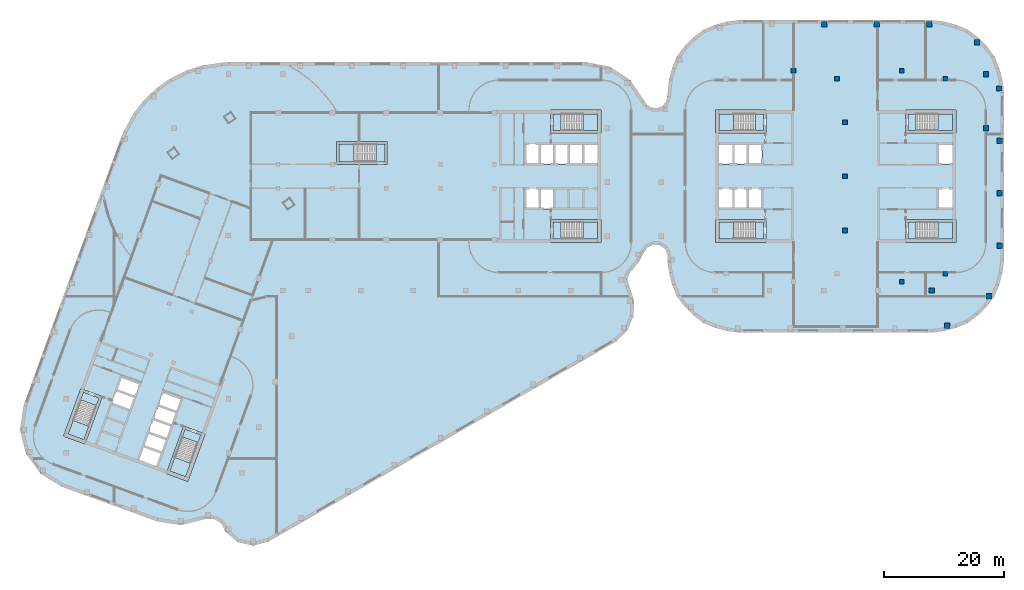
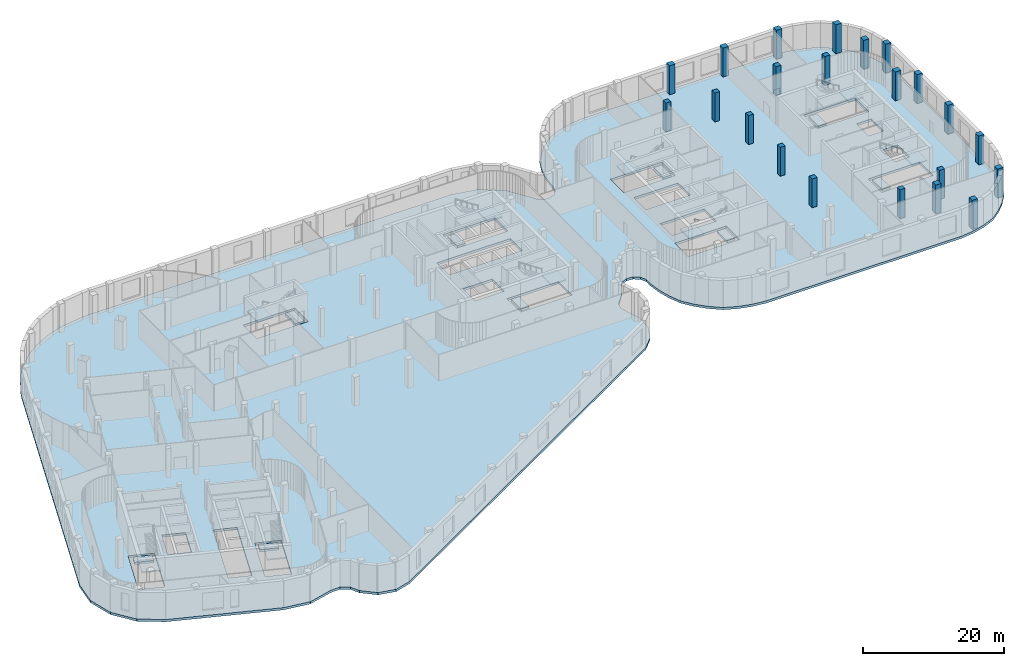
# One storey, part 2 of 18: 22 columns, 19 slabs, 9 elements without a shape of their own.
"""IFC4 building model written with IfcOpenShell, lengths in metres."""

import ifcopenshell
import ifcopenshell.guid

model = None  # the IFC model being written
_history = None  # IfcOwnerHistory: only IFC2X3 demands one
_inside = {}  # id of a spatial element -> (the spatial element, [elements in it])
_under = {}  # id of a project, library or spatial element -> (it, [spatial elements below it])
_declared = {}  # id of a project -> (the project, [libraries it declares])
_typed = {}  # id of a type object -> (the type object, [elements of that type])
_made_of = {}  # id of a material, layer set ... -> (it, [elements and type objects made of it])


def new_model(schema):
    """Start an empty IFC model of exactly this schema.

    Asked for "IFC4X3", IfcOpenShell would pick the latest addendum, in which some entities
    have other attributes; the version numbers below select the first issue.
    IFC2X3 requires an IfcOwnerHistory on every rooted entity: one is made here for all.
    """
    global model, _history
    if schema == "IFC4X3":
        model = ifcopenshell.file(schema_version=(4, 3, 0, 0))
    else:
        model = ifcopenshell.file(schema=schema)
    _inside.clear()
    _under.clear()
    _declared.clear()
    _typed.clear()
    _made_of.clear()
    _history = None
    if model.schema == "IFC2X3":
        org = make("IfcOrganization", Name="unknown")
        user = make(
            "IfcPersonAndOrganization",
            ThePerson=make("IfcPerson", FamilyName="unknown"),
            TheOrganization=org,
        )
        app = make(
            "IfcApplication",
            ApplicationDeveloper=org,
            Version="unknown",
            ApplicationFullName="unknown",
            ApplicationIdentifier="unknown",
        )
        _history = make(
            "IfcOwnerHistory",
            OwningUser=user,
            OwningApplication=app,
            ChangeAction="ADDED",
            CreationDate=0,
        )
    return model


def make(cls, **values):
    """One entity of the class cls with the attributes given. An attribute that is None is left unset."""
    return model.create_entity(
        cls, **{name: value for name, value in values.items() if value is not None}
    )


def rooted(cls, **values):
    """An entity with a GlobalId (a new one), such as an element, a storey or a relation."""
    return make(cls, GlobalId=ifcopenshell.guid.new(), OwnerHistory=_history, **values)


def si_unit(unit_type, name, prefix=None):
    """IfcSIUnit, for example si_unit("LENGTHUNIT", "METRE", prefix="MILLI")."""
    return make("IfcSIUnit", UnitType=unit_type, Prefix=prefix, Name=name)


def assignment(units):
    """IfcUnitAssignment: the units of a project."""
    return None if units is None else make("IfcUnitAssignment", Units=units)


def point(xyz):
    """IfcCartesianPoint."""
    return None if xyz is None else make("IfcCartesianPoint", Coordinates=xyz)


def direction(xyz):
    """IfcDirection."""
    return None if xyz is None else make("IfcDirection", DirectionRatios=xyz)


def frame(location, z_axis=None, x_axis=None):
    """IfcAxis2Placement3D, a coordinate frame: its origin and axes. An axis left out is left unset."""
    return make(
        "IfcAxis2Placement3D",
        Location=point(location),
        Axis=direction(z_axis),
        RefDirection=direction(x_axis),
    )


def frame_2d(location, x_axis=None):
    """IfcAxis2Placement2D, a coordinate frame in the plane: its origin and x axis."""
    return make(
        "IfcAxis2Placement2D", Location=point(location), RefDirection=direction(x_axis)
    )


def origin():
    """The frame at (0, 0, 0) with its axes left unset."""
    return frame((0.0, 0.0, 0.0))


def origin_2d():
    """The frame at (0, 0) in the plane with its x axis left unset."""
    return frame_2d((0.0, 0.0))


def place(relative_to, where):
    """IfcLocalPlacement: puts the frame where relative to a parent placement (None: the world)."""
    return make(
        "IfcLocalPlacement", PlacementRelTo=relative_to, RelativePlacement=where
    )


def context(
    kind, dimensions, precision=None, world=None, true_north=None, identifier=None
):
    """IfcGeometricRepresentationContext, for example the 3D "Model" context."""
    return make(
        "IfcGeometricRepresentationContext",
        ContextIdentifier=identifier,
        ContextType=kind,
        CoordinateSpaceDimension=dimensions,
        Precision=precision,
        WorldCoordinateSystem=world,
        TrueNorth=true_north,
    )


def subcontext(parent, identifier, kind, view, scale=None):
    """IfcGeometricRepresentationSubContext, for example "Body" below "Model"."""
    return make(
        "IfcGeometricRepresentationSubContext",
        ContextIdentifier=identifier,
        ContextType=kind,
        ParentContext=parent,
        TargetScale=scale,
        TargetView=view,
    )


def project(units=None, contexts=None):
    """IfcProject with its units and contexts."""
    return rooted(
        "IfcProject",
        Name="project",
        RepresentationContexts=contexts,
        UnitsInContext=assignment(units),
    )


def spatial(cls, under=None, at=None, **own):
    """A site, building, storey or space (cls), placed at a placement, below another one or the project."""
    s = rooted(cls, ObjectPlacement=at, **own)
    if under is not None:
        _under.setdefault(under.id(), (under, []))[1].append(s)
    return s


def polyline(points):
    """IfcPolyline through the points."""
    return make("IfcPolyline", Points=[point(p) for p in points])


def profile(cls, at=None, kind="AREA", **sizes):
    """A parametric profile (cls). Its sizes go by their IFC names, for example OverallWidth=200.0."""
    return make(cls, ProfileType=kind, Position=at, **sizes)


def rectangle(**sizes):
    """IfcRectangleProfileDef."""
    return profile("IfcRectangleProfileDef", **sizes)


def outline(outer, holes=None, kind="AREA"):
    """IfcArbitraryClosedProfileDef: a profile drawn as a closed curve; with holes, ...WithVoids."""
    if holes is None:
        return make("IfcArbitraryClosedProfileDef", ProfileType=kind, OuterCurve=outer)
    return make(
        "IfcArbitraryProfileDefWithVoids",
        ProfileType=kind,
        OuterCurve=outer,
        InnerCurves=holes,
    )


def extrude(swept, where, along, depth):
    """IfcExtrudedAreaSolid: the profile swept, set in the frame where, extruded along a direction by depth."""
    return make(
        "IfcExtrudedAreaSolid",
        SweptArea=swept,
        Position=where,
        ExtrudedDirection=direction(along),
        Depth=depth,
    )


def shape(context_of_items, identifier, shape_type, items):
    """IfcShapeRepresentation: the items that make up one representation, for example the "Body"."""
    return make(
        "IfcShapeRepresentation",
        ContextOfItems=context_of_items,
        RepresentationIdentifier=identifier,
        RepresentationType=shape_type,
        Items=items,
    )


def material(Name=None, Category=None):
    """IfcMaterial."""
    return make("IfcMaterial", Name=Name, Category=Category)


def layer(
    of_material, thickness, ventilated=None, Name=None, Category=None, Priority=None
):
    """IfcMaterialLayer: one layer of a wall or slab, of a material (None: an air gap)."""
    return make(
        "IfcMaterialLayer",
        Material=of_material,
        LayerThickness=thickness,
        IsVentilated=ventilated,
        Name=Name,
        Category=Category,
        Priority=Priority,
    )


def layer_set(layers, Name=None):
    """IfcMaterialLayerSet."""
    return make("IfcMaterialLayerSet", MaterialLayers=layers, LayerSetName=Name)


def material_profile(
    of_material, cross_section, Name=None, Category=None, Priority=None
):
    """IfcMaterialProfile: a cross section and its material."""
    return make(
        "IfcMaterialProfile",
        Name=Name,
        Material=of_material,
        Profile=cross_section,
        Priority=Priority,
        Category=Category,
    )


def profile_set(profiles, Name=None, composite=None):
    """IfcMaterialProfileSet."""
    return make(
        "IfcMaterialProfileSet",
        Name=Name,
        MaterialProfiles=profiles,
        CompositeProfile=composite,
    )


def made_of(thing, what):
    """Note that an element or type object is made of a material, layer set ...; save() writes the relation."""
    if what is not None:
        _made_of.setdefault(what.id(), (what, []))[1].append(thing)
    return thing


def type_object(cls, material=None, **own):
    """A type object (cls), such as IfcWallType, which elements share."""
    return made_of(rooted(cls, **own), material)


def element(
    cls,
    number,
    at=None,
    inside=None,
    cuts=None,
    type_object=None,
    material=None,
    context=None,
    identifier="Body",
    shape_type=None,
    held_by="IfcProductDefinitionShape",
    body=None,
    shapes=None,
    **own,
):
    """One element of the class cls, such as IfcWall. Its Tag is "e" and its number.

    at: its placement. inside: the storey or other place that contains it. cuts: it is an
    opening in that element (IfcRelVoidsElement). A single representation is given by context,
    identifier, shape_type and body (its items); several are given by shapes. held_by: the class
    of the entity that holds the representations. save() writes the other relations.
    """
    e = rooted(cls, Tag="e%d" % number, ObjectPlacement=at, **own)
    if body is not None:
        shapes = [shape(context, identifier, shape_type, body)]
    if shapes is not None:
        e.Representation = make(held_by, Representations=shapes)
    if inside is not None:
        _inside.setdefault(inside.id(), (inside, []))[1].append(e)
    if cuts is not None:
        rooted(
            "IfcRelVoidsElement", RelatingBuildingElement=cuts, RelatedOpeningElement=e
        )
    if type_object is not None:
        _typed.setdefault(type_object.id(), (type_object, []))[1].append(e)
    return made_of(e, material)


def aggregate(whole, parts):
    """IfcRelAggregates: a whole, such as a stair, and the parts it consists of."""
    return rooted("IfcRelAggregates", RelatingObject=whole, RelatedObjects=parts)


def save(model, path):
    """Write the relations noted so far, then the file.

    IfcRelAggregates (storeys below a building ...), IfcRelContainedInSpatialStructure (elements
    in a storey), IfcRelDefinesByType, IfcRelAssociatesMaterial and IfcRelDeclares: one each for
    every whole, place, type object, material and project.
    """
    for whole, parts in _under.values():
        aggregate(whole, parts)
    for where, things in _inside.values():
        rooted(
            "IfcRelContainedInSpatialStructure",
            RelatedElements=things,
            RelatingStructure=where,
        )
    for kind, things in _typed.values():
        rooted("IfcRelDefinesByType", RelatedObjects=things, RelatingType=kind)
    for what, things in _made_of.values():
        rooted("IfcRelAssociatesMaterial", RelatedObjects=things, RelatingMaterial=what)
    for by, libraries in _declared.values():
        rooted("IfcRelDeclares", RelatingContext=by, RelatedDefinitions=libraries)
    model.write(path)


model = new_model("IFC4")

# Units and contexts
model_context = context("Model", 3, precision=1e-05, world=origin(), true_north=direction((0.0, 1.0)))
body_context = subcontext(model_context, "Body", "Model", "MODEL_VIEW")
ifc_project = project(units=[si_unit("LENGTHUNIT", "METRE"), si_unit("AREAUNIT", "SQUARE_METRE"), si_unit("VOLUMEUNIT", "CUBIC_METRE"), si_unit("PLANEANGLEUNIT", "RADIAN"), si_unit("MASSUNIT", "GRAM", prefix="KILO")], contexts=[model_context])

# Site, building, storey
site_placement = place(None, origin())
site = spatial("IfcSite", under=ifc_project, at=site_placement, CompositionType="ELEMENT")
building_placement = place(site_placement, origin())
building = spatial("IfcBuilding", under=site, at=building_placement, Name="Skarvind Civic Tower", CompositionType="ELEMENT")
storey_placement = place(building_placement, frame((0.0, 0.0, 22.5)))
storey = spatial("IfcBuildingStorey", under=building, at=storey_placement, Name="L04", CompositionType="ELEMENT", Elevation=22.5)

# Columns
ifc_material_1 = material(Name="Concrete C60", Category="concrete")
ifc_material_profile_1 = material_profile(ifc_material_1, rectangle(XDim=0.800048828125, YDim=0.800048828125, at=origin_2d()), Name="RC-800x800")
ifc_profile_set_1 = profile_set([ifc_material_profile_1], Name="Concrete C60")
column_type_1 = type_object("IfcColumnType", Name="Column RC-800x800 C60", PredefinedType="COLUMN", material=ifc_profile_set_1)
for number, where, z_axis, x_axis, name in (
    (1, (148.550048828125, 119.0, 0.0), (0.0, 0.0, 1.0), (1.0, 0.0, 0.0), "Column second tower middle line 01 L04"),
    (2, (148.550048828125, 128.0, 0.0), (0.0, 0.0, 1.0), (1.0, 0.0, 0.0), "Column second tower middle line 02 L04"),
    (3, (148.550048828125, 137.0, 0.0), (0.0, 0.0, 1.0), (1.0, 0.0, 0.0), "Column second tower middle line 03 L04"),
    (4, (140.0, 145.550048828125, 0.0), (0.0, 0.0, 1.0), (1.0, 0.0, 0.0), "Column second tower north perimeter 02 L04"),
    (5, (147.222900390625, 144.222900390625, 0.0), (0.0, 0.0, 1.0), (1.0, 0.0, 0.0), "Column second tower north perimeter 03 L04"),
    (6, (165.222900390625, 144.222900390625, 0.0), (0.0, 0.0, 1.0), (1.0, 0.0, 0.0), "Column second tower north-east corner L04"),
    (7, (165.222900390625, 111.777099609375, 0.0), (0.0, 0.0, 1.0), (1.0, 0.0, 0.0), "Column second tower south-east corner L04"),
    (8, (158.0, 145.550048828125, 0.0), (0.0, 0.0, 1.0), (1.0, 0.0, 0.0), "Column second tower north perimeter 04 L04"),
    (9, (158.0, 110.449951171875, 0.0), (0.0, 0.0, 1.0), (1.0, 0.0, 0.0), "Column second tower south perimeter 04 L04"),
):
    element("IfcColumn", number, at=place(storey_placement, frame(where, z_axis=z_axis, x_axis=x_axis)), inside=storey, type_object=column_type_1, Name=name, PredefinedType="COLUMN", context=body_context, shape_type="SweptSolid", body=[
        extrude(rectangle(XDim=0.800048828125, YDim=0.800048828125, at=origin_2d()), origin(), (0.0, 0.0, 1.0), 5.0),
    ])
ifc_material_profile_2 = material_profile(ifc_material_1, rectangle(XDim=0.89990234375, YDim=0.89990234375, at=origin_2d()), Name="RC-900x900")
ifc_profile_set_2 = profile_set([ifc_material_profile_2], Name="Concrete C60")
column_type_2 = type_object("IfcColumnType", Name="Column RC-900x900 C60", PredefinedType="COLUMN", material=ifc_profile_set_2)
for number, where, z_axis, x_axis, name in (
    (10, (163.0, 109.0, 0.0), (0.0, 0.0, 1.0), (1.0, 0.0, 0.0), "Column podium grid 104 L04"),
    (11, (172.0, 136.0, 0.0), (0.0, 0.0, 1.0), (1.0, 0.0, 0.0), "Column podium grid 105 L04"),
    (12, (172.0, 145.0, 0.0), (0.0, 0.0, 1.0), (1.0, 0.0, 0.0), "Column podium grid 106 L04"),
    (13, (145.1015625, 153.300048828125, 0.0), (0.0, 0.0, 1.0), (1.0, 0.0, 0.0), "Column podium edge 31 L04"),
    (14, (153.8310546875, 153.300048828125, 0.0), (0.0, 0.0, 1.0), (1.0, 0.0, 0.0), "Column podium edge 32 L04"),
    (15, (162.560791015625, 153.300048828125, 0.0), (0.0, 0.0, 1.0), (1.0, 0.0, 0.0), "Column podium edge 33 L04"),
    (16, (170.520751953125, 150.26708984375, 0.0), (0.0, 0.0, 1.0), (1.0, 0.0, 0.0), "Column podium edge 34 L04"),
    (17, (174.210693359375, 142.610595703125, 0.0), (0.0, 0.0, 1.0), (1.0, 0.0, 0.0), "Column podium edge 35 L04"),
    (18, (174.300048828125, 133.88671875, 0.0), (0.0, 0.0, 1.0), (1.0, 0.0, 0.0), "Column podium edge 36 L04"),
    (19, (174.300048828125, 125.1572265625, 0.0), (0.0, 0.0, 1.0), (1.0, 0.0, 0.0), "Column podium edge 37 L04"),
    (20, (174.300048828125, 116.427490234375, 0.0), (0.0, 0.0, 1.0), (1.0, 0.0, 0.0), "Column podium edge 38 L04"),
    (21, (172.520751953125, 108.018798828125, 0.0), (0.0, 0.0, 1.0), (1.0, 0.0, 0.0), "Column podium edge 39 L04"),
    (22, (165.565673828125, 103.1298828125, 0.0), (0.0, 0.0, 1.0), (1.0, 0.0, 0.0), "Column podium edge 40 L04"),
):
    element("IfcColumn", number, at=place(storey_placement, frame(where, z_axis=z_axis, x_axis=x_axis)), inside=storey, type_object=column_type_2, Name=name, PredefinedType="COLUMN", context=body_context, shape_type="SweptSolid", body=[
        extrude(rectangle(XDim=0.89990234375, YDim=0.89990234375, at=origin_2d()), origin(), (0.0, 0.0, 1.0), 5.0),
    ])

# Slabs
ifc_material_2 = material(Name="Concrete C50", Category="concrete")
ifc_layer_1 = layer(ifc_material_2, 0.39990234375)
ifc_layer_set_1 = layer_set([ifc_layer_1], Name="Podium floor slab 400 C50")
slab_type_1 = type_object("IfcSlabType", Name="Podium floor slab 400 C50", PredefinedType="FLOOR", material=ifc_layer_set_1)
slab_1_placement = place(storey_placement, frame((0.0, 0.0, -0.39990234375)))
element("IfcSlab", 23, at=slab_1_placement, inside=storey, type_object=slab_type_1, Name="Podium floor slab L04 1", PredefinedType="FLOOR", context=body_context, shape_type="SweptSolid", body=[
    extrude(outline(polyline([(52.751220703125, 67.291015625), (110.5869140625, 100.577880859375), (112.365234375, 102.4130859375), (113.374267578125, 104.760986328125), (113.4814453125, 107.314208984375), (112.6728515625, 109.73828125), (112.37109375, 110.751953125), (112.6005859375, 111.7841796875), (113.303466796875, 112.57470703125), (114.366455078125, 113.885009765625), (115.1328125, 115.388427734375), (115.75048828125, 116.2119140625), (116.6904296875, 116.63232421875), (117.716064453125, 116.54345703125), (118.56982421875, 115.968017578125), (119.036865234375, 115.05078125), (119.0, 114.021728515625), (119.2783203125, 111.908447265625), (119.8017578125, 109.95458984375), (120.610107421875, 108.001220703125), (121.897705078125, 106.32470703125), (123.32470703125, 104.897705078125), (125.001220703125, 103.610107421875), (126.95458984375, 102.8017578125), (128.908447265625, 102.2783203125), (131.021728515625, 102.0), (162.978271484375, 102.0), (165.091552734375, 102.2783203125), (167.04541015625, 102.8017578125), (168.998779296875, 103.610107421875), (170.67529296875, 104.897705078125), (172.102294921875, 106.32470703125), (173.389892578125, 108.001220703125), (174.1982421875, 109.95458984375), (174.7216796875, 111.908447265625), (175.0, 114.021728515625), (175.0, 141.978271484375), (174.7216796875, 144.091552734375), (174.1982421875, 146.04541015625), (173.389892578125, 147.998779296875), (172.102294921875, 149.67529296875), (170.67529296875, 151.102294921875), (168.998779296875, 152.389892578125), (167.04541015625, 153.1982421875), (165.091552734375, 153.7216796875), (162.978271484375, 154.0), (131.021728515625, 154.0), (128.908447265625, 153.7216796875), (126.95458984375, 153.1982421875), (125.001220703125, 152.389892578125), (123.32470703125, 151.102294921875), (121.897705078125, 149.67529296875), (120.610107421875, 147.998779296875), (119.8017578125, 146.04541015625), (119.2783203125, 144.091552734375), (119.0, 141.328369140625), (118.785400390625, 140.427490234375), (118.18798828125, 139.7197265625), (117.336181640625, 139.356689453125), (116.411865234375, 139.41650390625), (115.613525390625, 139.885986328125), (115.1123046875, 140.664794921875), (112.829345703125, 144.004638671875), (109.44921875, 146.227294921875), (105.478271484375, 147.0), (46.114013671875, 147.0), (44.900390625, 146.910400390625), (41.58837890625, 146.417724609375), (39.1904296875, 145.67041015625), (36.191162109375, 144.19775390625), (34.1337890625, 142.757080078125), (31.72412109375, 140.442626953125), (30.201904296875, 138.44482421875), (28.606201171875, 135.5009765625), (28.10693359375, 134.391357421875), (11.9072265625, 89.883544921875), (11.325439453125, 85.83349609375), (12.311279296875, 81.862548828125), (14.719482421875, 78.554931640625), (18.19580078125, 76.3974609375), (34.129638671875, 70.59814453125), (38.114990234375, 69.990478515625), (42.026611328125, 70.964111328125), (43.532470703125, 71.034423828125), (44.827880859375, 70.263916015625), (45.484619140625, 68.9072265625), (47.523193359375, 67.14111328125), (50.15625, 66.555419921875), (52.751220703125, 67.291015625)]), holes=[polyline([(32.625244140625, 85.40576171875), (32.625244140625, 85.40576171875), (33.446044921875, 87.660888671875), (34.26708984375, 89.916259765625), (35.087890625, 92.17138671875), (38.28271484375, 91.008544921875), (37.4619140625, 88.75341796875), (36.64111328125, 86.498046875), (35.8203125, 84.242919921875), (35.8203125, 84.242919921875), (34.99951171875, 81.987548828125), (34.178466796875, 79.732421875), (30.983642578125, 80.89501953125), (31.804443359375, 83.150390625), (32.625244140625, 85.40576171875)]), polyline([(35.664794921875, 78.552734375), (38.53759765625, 86.4462890625), (42.108642578125, 85.146484375), (39.235595703125, 77.253173828125), (35.664794921875, 78.552734375)]), polyline([(18.5625, 84.777587890625), (21.435302734375, 92.6708984375), (25.006103515625, 91.371337890625), (22.13330078125, 83.477783203125), (18.5625, 84.777587890625)]), polyline([(31.3291015625, 93.53955078125), (30.50830078125, 91.2841796875), (29.6875, 89.029052734375), (26.492431640625, 90.19189453125), (27.313232421875, 92.447021484375), (28.134033203125, 94.702392578125), (31.3291015625, 93.53955078125)]), polyline([(100.199951171875, 122.60009765625), (97.800048828125, 122.60009765625), (95.39990234375, 122.60009765625), (95.39990234375, 126.0), (97.800048828125, 126.0), (100.199951171875, 126.0), (100.199951171875, 122.60009765625)]), polyline([(102.60009765625, 133.39990234375), (105.0, 133.39990234375), (107.39990234375, 133.39990234375), (107.39990234375, 130.0), (105.0, 130.0), (102.60009765625, 130.0), (100.199951171875, 130.0), (97.800048828125, 130.0), (95.39990234375, 130.0), (95.39990234375, 133.39990234375), (97.800048828125, 133.39990234375), (100.199951171875, 133.39990234375), (102.60009765625, 133.39990234375)]), polyline([(64.0, 133.800048828125), (72.39990234375, 133.800048828125), (72.39990234375, 130.0), (64.0, 130.0), (64.0, 133.800048828125)]), polyline([(108.0, 135.199951171875), (99.60009765625, 135.199951171875), (99.60009765625, 139.0), (108.0, 139.0), (108.0, 135.199951171875)]), polyline([(108.0, 117.0), (99.60009765625, 117.0), (99.60009765625, 120.800048828125), (108.0, 120.800048828125), (108.0, 117.0)]), polyline([(127.0, 120.800048828125), (135.39990234375, 120.800048828125), (135.39990234375, 117.0), (127.0, 117.0), (127.0, 120.800048828125)]), polyline([(167.0, 117.0), (158.60009765625, 117.0), (158.60009765625, 120.800048828125), (167.0, 120.800048828125), (167.0, 117.0)]), polyline([(134.800048828125, 126.0), (134.800048828125, 122.60009765625), (132.39990234375, 122.60009765625), (130.0, 122.60009765625), (127.60009765625, 122.60009765625), (127.60009765625, 126.0), (130.0, 126.0), (132.39990234375, 126.0), (134.800048828125, 126.0)]), polyline([(166.39990234375, 122.60009765625), (164.0, 122.60009765625), (164.0, 126.0), (166.39990234375, 126.0), (166.39990234375, 122.60009765625)]), polyline([(134.800048828125, 133.39990234375), (134.800048828125, 130.0), (132.39990234375, 130.0), (130.0, 130.0), (127.60009765625, 130.0), (127.60009765625, 133.39990234375), (130.0, 133.39990234375), (132.39990234375, 133.39990234375), (134.800048828125, 133.39990234375)]), polyline([(166.39990234375, 130.0), (164.0, 130.0), (164.0, 133.39990234375), (166.39990234375, 133.39990234375), (166.39990234375, 130.0)]), polyline([(127.0, 139.0), (135.39990234375, 139.0), (135.39990234375, 135.199951171875), (127.0, 135.199951171875), (127.0, 139.0)]), polyline([(167.0, 135.199951171875), (158.60009765625, 135.199951171875), (158.60009765625, 139.0), (167.0, 139.0), (167.0, 135.199951171875)])]), origin(), (0.0, 0.0, 1.0), 0.39990234375),
])
ifc_material_3 = material(Name="Concrete C40/50", Category="concrete")
ifc_layer_2 = layer(ifc_material_3, 0.39990234375)
ifc_layer_set_2 = layer_set([ifc_layer_2], Name="Stair floor landing slab 400")
slab_type_2 = type_object("IfcSlabType", Name="Stair floor landing slab 400", PredefinedType="LANDING", material=ifc_layer_set_2)
slab_2_placement = place(storey_placement, frame((0.0, 0.0, -0.39990234375)))
element("IfcSlab", 24, at=slab_2_placement, inside=storey, type_object=slab_type_2, Name="Stair floor landing", PredefinedType="LANDING", context=body_context, shape_type="SweptSolid", body=[
    extrude(outline(polyline([(101.3505859375, 138.400634765625), (101.3505859375, 135.599365234375), (99.99951171875, 135.599365234375), (99.99951171875, 138.400634765625), (101.3505859375, 138.400634765625)])), origin(), (0.0, 0.0, 1.0), 0.39990234375),
])
slab_3_placement = place(storey_placement, frame((0.0, 0.0, -0.39990234375)))
element("IfcSlab", 25, at=slab_3_placement, inside=storey, type_object=slab_type_2, Name="Stair floor landing", PredefinedType="LANDING", context=body_context, shape_type="SweptSolid", body=[
    extrude(outline(polyline([(101.3505859375, 120.400634765625), (101.3505859375, 117.599365234375), (99.99951171875, 117.599365234375), (99.99951171875, 120.400634765625), (101.3505859375, 120.400634765625)])), origin(), (0.0, 0.0, 1.0), 0.39990234375),
])
slab_4_placement = place(storey_placement, frame((0.0, 0.0, -0.39990234375)))
element("IfcSlab", 26, at=slab_4_placement, inside=storey, type_object=slab_type_2, Name="Stair floor landing", PredefinedType="LANDING", context=body_context, shape_type="SweptSolid", body=[
    extrude(outline(polyline([(40.946533203125, 83.70654296875), (38.314208984375, 84.66455078125), (38.7763671875, 85.934326171875), (41.40869140625, 84.976318359375), (40.946533203125, 83.70654296875)])), origin(), (0.0, 0.0, 1.0), 0.39990234375),
])
slab_5_placement = place(storey_placement, frame((0.0, 0.0, -0.39990234375)))
element("IfcSlab", 27, at=slab_5_placement, inside=storey, type_object=slab_type_2, Name="Stair floor landing", PredefinedType="LANDING", context=body_context, shape_type="SweptSolid", body=[
    extrude(outline(polyline([(24.0322265625, 89.863037109375), (21.39990234375, 90.821044921875), (21.862060546875, 92.090576171875), (24.494384765625, 91.132568359375), (24.0322265625, 89.863037109375)])), origin(), (0.0, 0.0, 1.0), 0.39990234375),
])
slab_6_placement = place(storey_placement, frame((0.0, 0.0, -0.39990234375)))
element("IfcSlab", 28, at=slab_6_placement, inside=storey, type_object=slab_type_2, Name="Stair floor landing", PredefinedType="LANDING", context=body_context, shape_type="SweptSolid", body=[
    extrude(outline(polyline([(133.6494140625, 117.599365234375), (133.6494140625, 120.400634765625), (135.00048828125, 120.400634765625), (135.00048828125, 117.599365234375), (133.6494140625, 117.599365234375)])), origin(), (0.0, 0.0, 1.0), 0.39990234375),
])
slab_7_placement = place(storey_placement, frame((0.0, 0.0, -0.39990234375)))
element("IfcSlab", 29, at=slab_7_placement, inside=storey, type_object=slab_type_2, Name="Stair floor landing", PredefinedType="LANDING", context=body_context, shape_type="SweptSolid", body=[
    extrude(outline(polyline([(133.6494140625, 135.599365234375), (133.6494140625, 138.400634765625), (135.00048828125, 138.400634765625), (135.00048828125, 135.599365234375), (133.6494140625, 135.599365234375)])), origin(), (0.0, 0.0, 1.0), 0.39990234375),
])
slab_8_placement = place(storey_placement, frame((0.0, 0.0, -0.39990234375)))
element("IfcSlab", 30, at=slab_8_placement, inside=storey, type_object=slab_type_2, Name="Stair floor landing", PredefinedType="LANDING", context=body_context, shape_type="SweptSolid", body=[
    extrude(outline(polyline([(160.3505859375, 138.400634765625), (160.3505859375, 135.599365234375), (158.99951171875, 135.599365234375), (158.99951171875, 138.400634765625), (160.3505859375, 138.400634765625)])), origin(), (0.0, 0.0, 1.0), 0.39990234375),
])
slab_9_placement = place(storey_placement, frame((0.0, 0.0, -0.39990234375)))
element("IfcSlab", 31, at=slab_9_placement, inside=storey, type_object=slab_type_2, Name="Stair floor landing", PredefinedType="LANDING", context=body_context, shape_type="SweptSolid", body=[
    extrude(outline(polyline([(160.3505859375, 120.400634765625), (160.3505859375, 117.599365234375), (158.99951171875, 117.599365234375), (158.99951171875, 120.400634765625), (160.3505859375, 120.400634765625)])), origin(), (0.0, 0.0, 1.0), 0.39990234375),
])
slab_10_placement = place(storey_placement, frame((0.0, 0.0, -0.39990234375)))
element("IfcSlab", 32, at=slab_10_placement, inside=storey, type_object=slab_type_2, Name="Stair floor landing", PredefinedType="LANDING", context=body_context, shape_type="SweptSolid", body=[
    extrude(outline(polyline([(70.54931640625, 130.3994140625), (70.54931640625, 133.400634765625), (72.00048828125, 133.400634765625), (72.00048828125, 130.3994140625), (70.54931640625, 130.3994140625)])), origin(), (0.0, 0.0, 1.0), 0.39990234375),
])

# Stair, slab
stair_type_1 = type_object("IfcStairType", Name="Exit stair, half-turn, concrete", PredefinedType="HALF_TURN_STAIR", material=ifc_material_3)
stair_1_placement = place(storey_placement, origin())
stair_1 = element("IfcStair", 33, at=stair_1_placement, inside=storey, type_object=stair_type_1, Name="Exit stair C1S", PredefinedType="HALF_TURN_STAIR")
ifc_layer_3 = layer(ifc_material_3, 0.199951171875)
ifc_layer_set_3 = layer_set([ifc_layer_3], Name="Stair half landing slab")
slab_type_3 = type_object("IfcSlabType", Name="Stair half landing slab", PredefinedType="LANDING", material=ifc_layer_set_3)
slab_11_placement = place(storey_placement, frame((0.0, 0.0, 2.300048828125)))
slab_11 = element("IfcSlab", 34, at=slab_11_placement, type_object=slab_type_3, Name="ST-C1S landing 1", PredefinedType="LANDING", context=body_context, shape_type="SweptSolid", body=[
    extrude(outline(polyline([(104.989501953125, 135.599365234375), (104.989501953125, 138.400634765625), (107.400634765625, 138.400634765625), (107.400634765625, 135.599365234375), (104.989501953125, 135.599365234375)])), origin(), (0.0, 0.0, 1.0), 0.199951171875),
])
aggregate(stair_1, [slab_11])

stair_2_placement = place(storey_placement, origin())
stair_2 = element("IfcStair", 35, at=stair_2_placement, inside=storey, type_object=stair_type_1, Name="Exit stair C1N", PredefinedType="HALF_TURN_STAIR")
slab_12_placement = place(storey_placement, frame((0.0, 0.0, 2.300048828125)))
slab_12 = element("IfcSlab", 36, at=slab_12_placement, type_object=slab_type_3, Name="ST-C1N landing 1", PredefinedType="LANDING", context=body_context, shape_type="SweptSolid", body=[
    extrude(outline(polyline([(104.989501953125, 117.599365234375), (104.989501953125, 120.400634765625), (107.400634765625, 120.400634765625), (107.400634765625, 117.599365234375), (104.989501953125, 117.599365234375)])), origin(), (0.0, 0.0, 1.0), 0.199951171875),
])
aggregate(stair_2, [slab_12])

stair_3_placement = place(storey_placement, origin())
stair_3 = element("IfcStair", 37, at=stair_3_placement, inside=storey, type_object=stair_type_1, Name="Exit stair C2S", PredefinedType="HALF_TURN_STAIR")
slab_13_placement = place(storey_placement, frame((0.0, 0.0, 2.300048828125)))
slab_13 = element("IfcSlab", 38, at=slab_13_placement, type_object=slab_type_3, Name="ST-C2S landing 1", PredefinedType="LANDING", context=body_context, shape_type="SweptSolid", body=[
    extrude(outline(polyline([(37.06982421875, 81.245361328125), (39.7021484375, 80.287109375), (38.87744140625, 78.021484375), (36.2451171875, 78.9794921875), (37.06982421875, 81.245361328125)])), origin(), (0.0, 0.0, 1.0), 0.199951171875),
])
aggregate(stair_3, [slab_13])

stair_4_placement = place(storey_placement, origin())
stair_4 = element("IfcStair", 39, at=stair_4_placement, inside=storey, type_object=stair_type_1, Name="Exit stair C2N", PredefinedType="HALF_TURN_STAIR")
slab_14_placement = place(storey_placement, frame((0.0, 0.0, 2.300048828125)))
slab_14 = element("IfcSlab", 40, at=slab_14_placement, type_object=slab_type_3, Name="ST-C2N landing 1", PredefinedType="LANDING", context=body_context, shape_type="SweptSolid", body=[
    extrude(outline(polyline([(20.1552734375, 87.401611328125), (22.78759765625, 86.443603515625), (21.962890625, 84.177734375), (19.33056640625, 85.1357421875), (20.1552734375, 87.401611328125)])), origin(), (0.0, 0.0, 1.0), 0.199951171875),
])
aggregate(stair_4, [slab_14])

stair_5_placement = place(storey_placement, origin())
stair_5 = element("IfcStair", 41, at=stair_5_placement, inside=storey, type_object=stair_type_1, Name="Exit stair CAS", PredefinedType="HALF_TURN_STAIR")
slab_15_placement = place(storey_placement, frame((0.0, 0.0, 2.300048828125)))
slab_15 = element("IfcSlab", 42, at=slab_15_placement, type_object=slab_type_3, Name="ST-CAS landing 1", PredefinedType="LANDING", context=body_context, shape_type="SweptSolid", body=[
    extrude(outline(polyline([(130.010498046875, 120.400634765625), (130.010498046875, 117.599365234375), (127.599365234375, 117.599365234375), (127.599365234375, 120.400634765625), (130.010498046875, 120.400634765625)])), origin(), (0.0, 0.0, 1.0), 0.199951171875),
])
aggregate(stair_5, [slab_15])

stair_6_placement = place(storey_placement, origin())
stair_6 = element("IfcStair", 43, at=stair_6_placement, inside=storey, type_object=stair_type_1, Name="Exit stair CAN", PredefinedType="HALF_TURN_STAIR")
slab_16_placement = place(storey_placement, frame((0.0, 0.0, 2.300048828125)))
slab_16 = element("IfcSlab", 44, at=slab_16_placement, type_object=slab_type_3, Name="ST-CAN landing 1", PredefinedType="LANDING", context=body_context, shape_type="SweptSolid", body=[
    extrude(outline(polyline([(130.010498046875, 138.400634765625), (130.010498046875, 135.599365234375), (127.599365234375, 135.599365234375), (127.599365234375, 138.400634765625), (130.010498046875, 138.400634765625)])), origin(), (0.0, 0.0, 1.0), 0.199951171875),
])
aggregate(stair_6, [slab_16])

stair_7_placement = place(storey_placement, origin())
stair_7 = element("IfcStair", 45, at=stair_7_placement, inside=storey, type_object=stair_type_1, Name="Exit stair CBS", PredefinedType="HALF_TURN_STAIR")
slab_17_placement = place(storey_placement, frame((0.0, 0.0, 2.300048828125)))
slab_17 = element("IfcSlab", 46, at=slab_17_placement, type_object=slab_type_3, Name="ST-CBS landing 1", PredefinedType="LANDING", context=body_context, shape_type="SweptSolid", body=[
    extrude(outline(polyline([(163.989501953125, 135.599365234375), (163.989501953125, 138.400634765625), (166.400634765625, 138.400634765625), (166.400634765625, 135.599365234375), (163.989501953125, 135.599365234375)])), origin(), (0.0, 0.0, 1.0), 0.199951171875),
])
aggregate(stair_7, [slab_17])

stair_8_placement = place(storey_placement, origin())
stair_8 = element("IfcStair", 47, at=stair_8_placement, inside=storey, type_object=stair_type_1, Name="Exit stair CBN", PredefinedType="HALF_TURN_STAIR")
slab_18_placement = place(storey_placement, frame((0.0, 0.0, 2.300048828125)))
slab_18 = element("IfcSlab", 48, at=slab_18_placement, type_object=slab_type_3, Name="ST-CBN landing 1", PredefinedType="LANDING", context=body_context, shape_type="SweptSolid", body=[
    extrude(outline(polyline([(163.989501953125, 117.599365234375), (163.989501953125, 120.400634765625), (166.400634765625, 120.400634765625), (166.400634765625, 117.599365234375), (163.989501953125, 117.599365234375)])), origin(), (0.0, 0.0, 1.0), 0.199951171875),
])
aggregate(stair_8, [slab_18])

stair_type_2 = type_object("IfcStairType", Name="Exit stair 1450, half-turn, concrete", PredefinedType="HALF_TURN_STAIR", material=ifc_material_3)
stair_9_placement = place(storey_placement, origin())
stair_9 = element("IfcStair", 49, at=stair_9_placement, inside=storey, type_object=stair_type_2, Name="Exit stair CM", PredefinedType="HALF_TURN_STAIR")
slab_19_placement = place(storey_placement, frame((0.0, 0.0, 2.300048828125)))
slab_19 = element("IfcSlab", 50, at=slab_19_placement, type_object=slab_type_3, Name="ST-CM landing 1", PredefinedType="LANDING", context=body_context, shape_type="SweptSolid", body=[
    extrude(outline(polyline([(66.91064453125, 133.400634765625), (66.91064453125, 130.3994140625), (64.3994140625, 130.3994140625), (64.3994140625, 133.400634765625), (66.91064453125, 133.400634765625)])), origin(), (0.0, 0.0, 1.0), 0.199951171875),
])
aggregate(stair_9, [slab_19])

save(model, "model.ifc")
